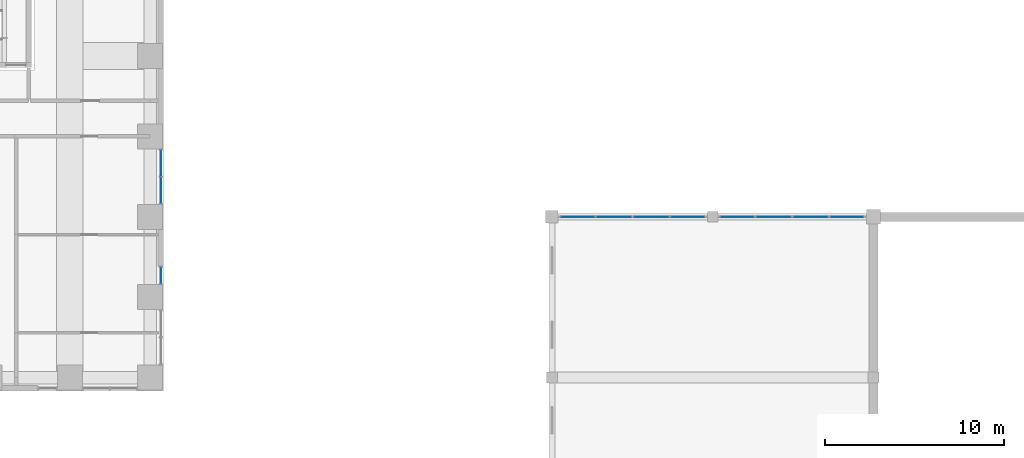
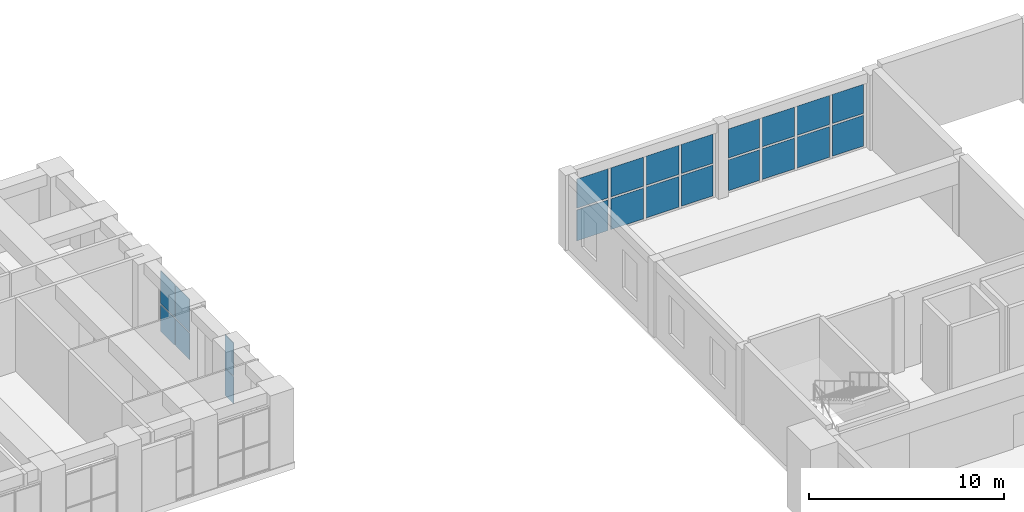
# One storey, part 16 of 34: 22 plates, 4 elements without a shape of their own.
"""IFC4 building model written with IfcOpenShell, lengths in metres."""

from ifc_helpers import new_model, si_unit, direction, frame, origin, origin_2d, place, context, subcontext, project, spatial, rectangle, extrude, material, layer, layer_set, type_object, element, aggregate, save


model = new_model("IFC4")

# Units and contexts
model_context = context("Model", 3, precision=1e-05, world=origin(), true_north=direction((0.0, 1.0)))
body_context = subcontext(model_context, "Body", "Model", "MODEL_VIEW")
ifc_project = project(units=[si_unit("LENGTHUNIT", "METRE"), si_unit("AREAUNIT", "SQUARE_METRE"), si_unit("VOLUMEUNIT", "CUBIC_METRE"), si_unit("PLANEANGLEUNIT", "RADIAN"), si_unit("MASSUNIT", "GRAM", prefix="KILO")], contexts=[model_context])

# Site, building, storey
site_placement = place(None, origin())
site = spatial("IfcSite", under=ifc_project, at=site_placement, CompositionType="ELEMENT")
building_placement = place(site_placement, origin())
building = spatial("IfcBuilding", under=site, at=building_placement, Name="Firuza Court", CompositionType="ELEMENT")
storey_placement = place(building_placement, frame((0.0, 0.0, 14.0)))
storey = spatial("IfcBuildingStorey", under=building, at=storey_placement, Name="L02", CompositionType="ELEMENT", Elevation=14.0)

# Curtain wall, plates
ifc_material_1 = material(Name="Aluminium", Category="aluminium")
curtain_wall_type_1 = type_object("IfcCurtainWallType", Name="CW6 FOYER CURTAIN WALL", PredefinedType="NOTDEFINED", material=ifc_material_1)
curtain_wall_1_placement = place(storey_placement, origin())
curtain_wall_1 = element("IfcCurtainWall", 1, at=curtain_wall_1_placement, inside=storey, type_object=curtain_wall_type_1, Name="CW6 foyer curtain wall 7", PredefinedType="NOTDEFINED")
ifc_material_2 = material(Name="Glass", Category="glass")
ifc_layer_1 = layer(ifc_material_2, 0.028076171875)
ifc_layer_set_1 = layer_set([ifc_layer_1], Name="Glass")
plate_type_1 = type_object("IfcPlateType", Name="CW6 GLASS PANEL 28", PredefinedType="CURTAIN_PANEL", material=ifc_layer_set_1)
plate_1_placement = place(storey_placement, frame((91.433837890625, 45.0, 0.1201171875), z_axis=(0.0, 0.0, 1.0), x_axis=(1.0, 0.0, 0.0)))
plate_1 = element("IfcPlate", 2, at=plate_1_placement, type_object=plate_type_1, Name="CW6 panel 1.1", PredefinedType="CURTAIN_PANEL", context=body_context, shape_type="SweptSolid", body=[
    extrude(rectangle(XDim=1.847412109375, YDim=0.028076171875, at=origin_2d()), origin(), (0.0, 0.0, 1.0), 1.919921875),
])
plate_2_placement = place(storey_placement, frame((91.433837890625, 45.0, 2.16015625), z_axis=(0.0, 0.0, 1.0), x_axis=(1.0, 0.0, 0.0)))
plate_2 = element("IfcPlate", 3, at=plate_2_placement, type_object=plate_type_1, Name="CW6 panel 1.2", PredefinedType="CURTAIN_PANEL", context=body_context, shape_type="SweptSolid", body=[
    extrude(rectangle(XDim=1.847412109375, YDim=0.028076171875, at=origin_2d()), origin(), (0.0, 0.0, 1.0), 1.820068359375),
])
plate_3_placement = place(storey_placement, frame((93.481201171875, 45.0, 0.1201171875), z_axis=(0.0, 0.0, 1.0), x_axis=(1.0, 0.0, 0.0)))
plate_3 = element("IfcPlate", 4, at=plate_3_placement, type_object=plate_type_1, Name="CW6 panel 2.1", PredefinedType="CURTAIN_PANEL", context=body_context, shape_type="SweptSolid", body=[
    extrude(rectangle(XDim=1.927490234375, YDim=0.028076171875, at=origin_2d()), origin(), (0.0, 0.0, 1.0), 1.919921875),
])
plate_4_placement = place(storey_placement, frame((93.481201171875, 45.0, 2.16015625), z_axis=(0.0, 0.0, 1.0), x_axis=(1.0, 0.0, 0.0)))
plate_4 = element("IfcPlate", 5, at=plate_4_placement, type_object=plate_type_1, Name="CW6 panel 2.2", PredefinedType="CURTAIN_PANEL", context=body_context, shape_type="SweptSolid", body=[
    extrude(rectangle(XDim=1.927490234375, YDim=0.028076171875, at=origin_2d()), origin(), (0.0, 0.0, 1.0), 1.820068359375),
])
plate_5_placement = place(storey_placement, frame((95.56884765625, 45.0, 0.1201171875), z_axis=(0.0, 0.0, 1.0), x_axis=(1.0, 0.0, 0.0)))
plate_5 = element("IfcPlate", 6, at=plate_5_placement, type_object=plate_type_1, Name="CW6 panel 3.1", PredefinedType="CURTAIN_PANEL", context=body_context, shape_type="SweptSolid", body=[
    extrude(rectangle(XDim=1.927490234375, YDim=0.028076171875, at=origin_2d()), origin(), (0.0, 0.0, 1.0), 1.919921875),
])
plate_6_placement = place(storey_placement, frame((95.56884765625, 45.0, 2.16015625), z_axis=(0.0, 0.0, 1.0), x_axis=(1.0, 0.0, 0.0)))
plate_6 = element("IfcPlate", 7, at=plate_6_placement, type_object=plate_type_1, Name="CW6 panel 3.2", PredefinedType="CURTAIN_PANEL", context=body_context, shape_type="SweptSolid", body=[
    extrude(rectangle(XDim=1.927490234375, YDim=0.028076171875, at=origin_2d()), origin(), (0.0, 0.0, 1.0), 1.820068359375),
])
plate_7_placement = place(storey_placement, frame((97.6162109375, 45.0, 0.1201171875), z_axis=(0.0, 0.0, 1.0), x_axis=(1.0, 0.0, 0.0)))
plate_7 = element("IfcPlate", 8, at=plate_7_placement, type_object=plate_type_1, Name="CW6 panel 4.1", PredefinedType="CURTAIN_PANEL", context=body_context, shape_type="SweptSolid", body=[
    extrude(rectangle(XDim=1.847412109375, YDim=0.028076171875, at=origin_2d()), origin(), (0.0, 0.0, 1.0), 1.919921875),
])
plate_8_placement = place(storey_placement, frame((97.6162109375, 45.0, 2.16015625), z_axis=(0.0, 0.0, 1.0), x_axis=(1.0, 0.0, 0.0)))
plate_8 = element("IfcPlate", 9, at=plate_8_placement, type_object=plate_type_1, Name="CW6 panel 4.2", PredefinedType="CURTAIN_PANEL", context=body_context, shape_type="SweptSolid", body=[
    extrude(rectangle(XDim=1.847412109375, YDim=0.028076171875, at=origin_2d()), origin(), (0.0, 0.0, 1.0), 1.820068359375),
])
aggregate(curtain_wall_1, [plate_1, plate_2, plate_3, plate_4, plate_5, plate_6, plate_7, plate_8])

curtain_wall_2_placement = place(storey_placement, origin())
curtain_wall_2 = element("IfcCurtainWall", 10, at=curtain_wall_2_placement, inside=storey, type_object=curtain_wall_type_1, Name="CW6 foyer curtain wall 8", PredefinedType="NOTDEFINED")
plate_9_placement = place(storey_placement, frame((100.37744140625, 45.0, 0.1201171875), z_axis=(0.0, 0.0, 1.0), x_axis=(1.0, 0.0, 0.0)))
plate_9 = element("IfcPlate", 11, at=plate_9_placement, type_object=plate_type_1, Name="CW6 panel 1.1", PredefinedType="CURTAIN_PANEL", context=body_context, shape_type="SweptSolid", body=[
    extrude(rectangle(XDim=1.8349609375, YDim=0.028076171875, at=origin_2d()), origin(), (0.0, 0.0, 1.0), 1.919921875),
])
plate_10_placement = place(storey_placement, frame((100.37744140625, 45.0, 2.16015625), z_axis=(0.0, 0.0, 1.0), x_axis=(1.0, 0.0, 0.0)))
plate_10 = element("IfcPlate", 12, at=plate_10_placement, type_object=plate_type_1, Name="CW6 panel 1.2", PredefinedType="CURTAIN_PANEL", context=body_context, shape_type="SweptSolid", body=[
    extrude(rectangle(XDim=1.8349609375, YDim=0.028076171875, at=origin_2d()), origin(), (0.0, 0.0, 1.0), 1.820068359375),
])
plate_11_placement = place(storey_placement, frame((102.41259765625, 45.0, 0.1201171875), z_axis=(0.0, 0.0, 1.0), x_axis=(1.0, 0.0, 0.0)))
plate_11 = element("IfcPlate", 13, at=plate_11_placement, type_object=plate_type_1, Name="CW6 panel 2.1", PredefinedType="CURTAIN_PANEL", context=body_context, shape_type="SweptSolid", body=[
    extrude(rectangle(XDim=1.9150390625, YDim=0.028076171875, at=origin_2d()), origin(), (0.0, 0.0, 1.0), 1.919921875),
])
plate_12_placement = place(storey_placement, frame((102.41259765625, 45.0, 2.16015625), z_axis=(0.0, 0.0, 1.0), x_axis=(1.0, 0.0, 0.0)))
plate_12 = element("IfcPlate", 14, at=plate_12_placement, type_object=plate_type_1, Name="CW6 panel 2.2", PredefinedType="CURTAIN_PANEL", context=body_context, shape_type="SweptSolid", body=[
    extrude(rectangle(XDim=1.9150390625, YDim=0.028076171875, at=origin_2d()), origin(), (0.0, 0.0, 1.0), 1.820068359375),
])
plate_13_placement = place(storey_placement, frame((104.487548828125, 45.0, 0.1201171875), z_axis=(0.0, 0.0, 1.0), x_axis=(1.0, 0.0, 0.0)))
plate_13 = element("IfcPlate", 15, at=plate_13_placement, type_object=plate_type_1, Name="CW6 panel 3.1", PredefinedType="CURTAIN_PANEL", context=body_context, shape_type="SweptSolid", body=[
    extrude(rectangle(XDim=1.9150390625, YDim=0.028076171875, at=origin_2d()), origin(), (0.0, 0.0, 1.0), 1.919921875),
])
plate_14_placement = place(storey_placement, frame((104.487548828125, 45.0, 2.16015625), z_axis=(0.0, 0.0, 1.0), x_axis=(1.0, 0.0, 0.0)))
plate_14 = element("IfcPlate", 16, at=plate_14_placement, type_object=plate_type_1, Name="CW6 panel 3.2", PredefinedType="CURTAIN_PANEL", context=body_context, shape_type="SweptSolid", body=[
    extrude(rectangle(XDim=1.9150390625, YDim=0.028076171875, at=origin_2d()), origin(), (0.0, 0.0, 1.0), 1.820068359375),
])
plate_15_placement = place(storey_placement, frame((106.5224609375, 45.0, 0.1201171875), z_axis=(0.0, 0.0, 1.0), x_axis=(1.0, 0.0, 0.0)))
plate_15 = element("IfcPlate", 17, at=plate_15_placement, type_object=plate_type_1, Name="CW6 panel 4.1", PredefinedType="CURTAIN_PANEL", context=body_context, shape_type="SweptSolid", body=[
    extrude(rectangle(XDim=1.8349609375, YDim=0.028076171875, at=origin_2d()), origin(), (0.0, 0.0, 1.0), 1.919921875),
])
plate_16_placement = place(storey_placement, frame((106.5224609375, 45.0, 2.16015625), z_axis=(0.0, 0.0, 1.0), x_axis=(1.0, 0.0, 0.0)))
plate_16 = element("IfcPlate", 18, at=plate_16_placement, type_object=plate_type_1, Name="CW6 panel 4.2", PredefinedType="CURTAIN_PANEL", context=body_context, shape_type="SweptSolid", body=[
    extrude(rectangle(XDim=1.8349609375, YDim=0.028076171875, at=origin_2d()), origin(), (0.0, 0.0, 1.0), 1.820068359375),
])
aggregate(curtain_wall_2, [plate_9, plate_10, plate_11, plate_12, plate_13, plate_14, plate_15, plate_16])

ifc_material_3 = material(Name="Aluminium curtain wall, triple clear glazing", Category="aluminium")
curtain_wall_type_2 = type_object("IfcCurtainWallType", Name="Podium unitised curtain wall CW1", PredefinedType="NOTDEFINED", material=ifc_material_3)
curtain_wall_3_placement = place(storey_placement, origin())
curtain_wall_3 = element("IfcCurtainWall", 19, at=curtain_wall_3_placement, inside=storey, type_object=curtain_wall_type_2, Name="Podium unitised curtain wall CW1 L02", PredefinedType="NOTDEFINED")
ifc_material_4 = material(Name="Triple clear glazing", Category="glass")
ifc_layer_2 = layer(ifc_material_4, 0.031982421875)
ifc_layer_set_2 = layer_set([ifc_layer_2], Name="Triple clear glazing")
plate_type_2 = type_object("IfcPlateType", Name="Glazed panel 32 CW1", PredefinedType="CURTAIN_PANEL", material=ifc_layer_set_2)
plate_17_placement = place(storey_placement, frame((68.10009765625, 41.7119140625, 0.06005859375), z_axis=(0.0, 0.0, 1.0), x_axis=(0.0, 1.0, 0.0)))
plate_17 = element("IfcPlate", 20, at=plate_17_placement, type_object=plate_type_2, Name="CW1 panel 1.1", PredefinedType="CURTAIN_PANEL", context=body_context, shape_type="SweptSolid", body=[
    extrude(rectangle(XDim=0.90380859375, YDim=0.031982421875, at=origin_2d()), origin(), (0.0, 0.0, 1.0), 1.6650390625),
])
plate_18_placement = place(storey_placement, frame((68.10009765625, 41.7119140625, 1.78515625), z_axis=(0.0, 0.0, 1.0), x_axis=(0.0, 1.0, 0.0)))
plate_18 = element("IfcPlate", 21, at=plate_18_placement, type_object=plate_type_2, Name="CW1 panel 1.2", PredefinedType="CURTAIN_PANEL", context=body_context, shape_type="SweptSolid", body=[
    extrude(rectangle(XDim=0.90380859375, YDim=0.031982421875, at=origin_2d()), origin(), (0.0, 0.0, 1.0), 2.054931640625),
])
aggregate(curtain_wall_3, [plate_17, plate_18])

curtain_wall_4_placement = place(storey_placement, origin())
curtain_wall_4 = element("IfcCurtainWall", 22, at=curtain_wall_4_placement, inside=storey, type_object=curtain_wall_type_2, Name="Podium unitised curtain wall CW1 L02", PredefinedType="NOTDEFINED")
plate_19_placement = place(storey_placement, frame((68.10009765625, 46.489990234375, 0.06005859375), z_axis=(0.0, 0.0, 1.0), x_axis=(0.0, 1.0, 0.0)))
plate_19 = element("IfcPlate", 23, at=plate_19_placement, type_object=plate_type_2, Name="CW1 panel 1.1", PredefinedType="CURTAIN_PANEL", context=body_context, shape_type="SweptSolid", body=[
    extrude(rectangle(XDim=1.4599609375, YDim=0.031982421875, at=origin_2d()), origin(), (0.0, 0.0, 1.0), 1.6650390625),
])
plate_20_placement = place(storey_placement, frame((68.10009765625, 46.489990234375, 1.78515625), z_axis=(0.0, 0.0, 1.0), x_axis=(0.0, 1.0, 0.0)))
plate_20 = element("IfcPlate", 24, at=plate_20_placement, type_object=plate_type_2, Name="CW1 panel 1.2", PredefinedType="CURTAIN_PANEL", context=body_context, shape_type="SweptSolid", body=[
    extrude(rectangle(XDim=1.4599609375, YDim=0.031982421875, at=origin_2d()), origin(), (0.0, 0.0, 1.0), 2.054931640625),
])
plate_21_placement = place(storey_placement, frame((68.10009765625, 48.010009765625, 0.06005859375), z_axis=(0.0, 0.0, 1.0), x_axis=(0.0, 1.0, 0.0)))
plate_21 = element("IfcPlate", 25, at=plate_21_placement, type_object=plate_type_2, Name="CW1 panel 2.1", PredefinedType="CURTAIN_PANEL", context=body_context, shape_type="SweptSolid", body=[
    extrude(rectangle(XDim=1.4599609375, YDim=0.031982421875, at=origin_2d()), origin(), (0.0, 0.0, 1.0), 1.6650390625),
])
plate_22_placement = place(storey_placement, frame((68.10009765625, 48.010009765625, 1.78515625), z_axis=(0.0, 0.0, 1.0), x_axis=(0.0, 1.0, 0.0)))
plate_22 = element("IfcPlate", 26, at=plate_22_placement, type_object=plate_type_2, Name="CW1 panel 2.2", PredefinedType="CURTAIN_PANEL", context=body_context, shape_type="SweptSolid", body=[
    extrude(rectangle(XDim=1.4599609375, YDim=0.031982421875, at=origin_2d()), origin(), (0.0, 0.0, 1.0), 2.054931640625),
])
aggregate(curtain_wall_4, [plate_19, plate_20, plate_21, plate_22])

save(model, "model.ifc")
